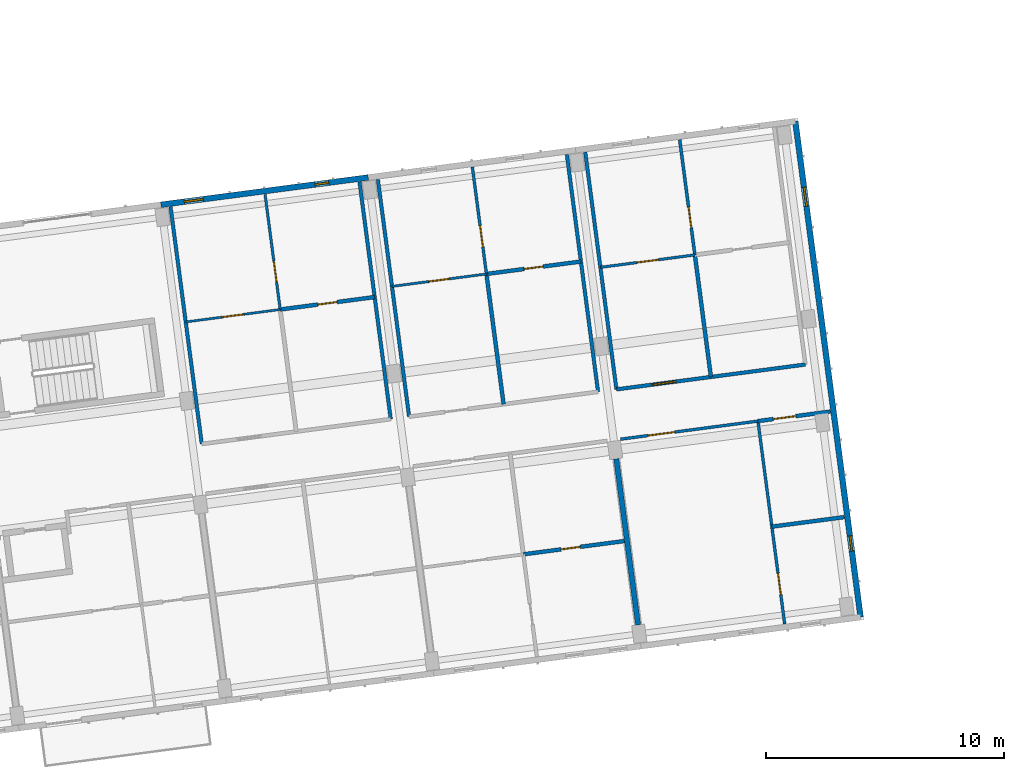
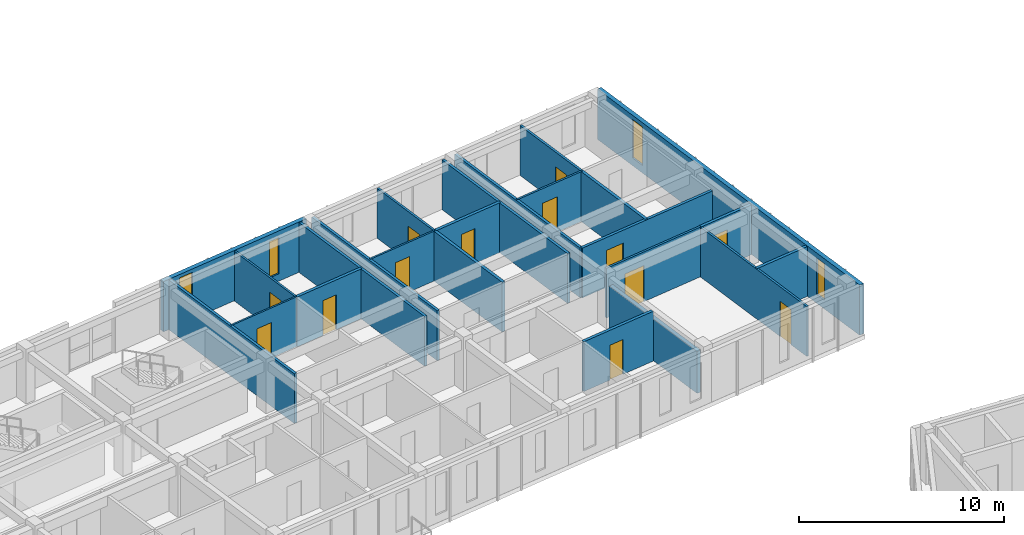
# One storey, part 23 of 65: 24 walls, 13 doors, 4 windows, 17 openings.
"""IFC4 building model written with IfcOpenShell, lengths in metres."""

import ifcopenshell
import ifcopenshell.guid

model = None  # the IFC model being written
_history = None  # IfcOwnerHistory: only IFC2X3 demands one
_inside = {}  # id of a spatial element -> (the spatial element, [elements in it])
_under = {}  # id of a project, library or spatial element -> (it, [spatial elements below it])
_declared = {}  # id of a project -> (the project, [libraries it declares])
_typed = {}  # id of a type object -> (the type object, [elements of that type])
_made_of = {}  # id of a material, layer set ... -> (it, [elements and type objects made of it])


def new_model(schema):
    """Start an empty IFC model of exactly this schema.

    Asked for "IFC4X3", IfcOpenShell would pick the latest addendum, in which some entities
    have other attributes; the version numbers below select the first issue.
    IFC2X3 requires an IfcOwnerHistory on every rooted entity: one is made here for all.
    """
    global model, _history
    if schema == "IFC4X3":
        model = ifcopenshell.file(schema_version=(4, 3, 0, 0))
    else:
        model = ifcopenshell.file(schema=schema)
    _inside.clear()
    _under.clear()
    _declared.clear()
    _typed.clear()
    _made_of.clear()
    _history = None
    if model.schema == "IFC2X3":
        org = make("IfcOrganization", Name="unknown")
        user = make(
            "IfcPersonAndOrganization",
            ThePerson=make("IfcPerson", FamilyName="unknown"),
            TheOrganization=org,
        )
        app = make(
            "IfcApplication",
            ApplicationDeveloper=org,
            Version="unknown",
            ApplicationFullName="unknown",
            ApplicationIdentifier="unknown",
        )
        _history = make(
            "IfcOwnerHistory",
            OwningUser=user,
            OwningApplication=app,
            ChangeAction="ADDED",
            CreationDate=0,
        )
    return model


def make(cls, **values):
    """One entity of the class cls with the attributes given. An attribute that is None is left unset."""
    return model.create_entity(
        cls, **{name: value for name, value in values.items() if value is not None}
    )


def rooted(cls, **values):
    """An entity with a GlobalId (a new one), such as an element, a storey or a relation."""
    return make(cls, GlobalId=ifcopenshell.guid.new(), OwnerHistory=_history, **values)


def si_unit(unit_type, name, prefix=None):
    """IfcSIUnit, for example si_unit("LENGTHUNIT", "METRE", prefix="MILLI")."""
    return make("IfcSIUnit", UnitType=unit_type, Prefix=prefix, Name=name)


def assignment(units):
    """IfcUnitAssignment: the units of a project."""
    return None if units is None else make("IfcUnitAssignment", Units=units)


def point(xyz):
    """IfcCartesianPoint."""
    return None if xyz is None else make("IfcCartesianPoint", Coordinates=xyz)


def direction(xyz):
    """IfcDirection."""
    return None if xyz is None else make("IfcDirection", DirectionRatios=xyz)


def frame(location, z_axis=None, x_axis=None):
    """IfcAxis2Placement3D, a coordinate frame: its origin and axes. An axis left out is left unset."""
    return make(
        "IfcAxis2Placement3D",
        Location=point(location),
        Axis=direction(z_axis),
        RefDirection=direction(x_axis),
    )


def frame_2d(location, x_axis=None):
    """IfcAxis2Placement2D, a coordinate frame in the plane: its origin and x axis."""
    return make(
        "IfcAxis2Placement2D", Location=point(location), RefDirection=direction(x_axis)
    )


def origin():
    """The frame at (0, 0, 0) with its axes left unset."""
    return frame((0.0, 0.0, 0.0))


def place(relative_to, where):
    """IfcLocalPlacement: puts the frame where relative to a parent placement (None: the world)."""
    return make(
        "IfcLocalPlacement", PlacementRelTo=relative_to, RelativePlacement=where
    )


def context(
    kind, dimensions, precision=None, world=None, true_north=None, identifier=None
):
    """IfcGeometricRepresentationContext, for example the 3D "Model" context."""
    return make(
        "IfcGeometricRepresentationContext",
        ContextIdentifier=identifier,
        ContextType=kind,
        CoordinateSpaceDimension=dimensions,
        Precision=precision,
        WorldCoordinateSystem=world,
        TrueNorth=true_north,
    )


def subcontext(parent, identifier, kind, view, scale=None):
    """IfcGeometricRepresentationSubContext, for example "Body" below "Model"."""
    return make(
        "IfcGeometricRepresentationSubContext",
        ContextIdentifier=identifier,
        ContextType=kind,
        ParentContext=parent,
        TargetScale=scale,
        TargetView=view,
    )


def project(units=None, contexts=None):
    """IfcProject with its units and contexts."""
    return rooted(
        "IfcProject",
        Name="project",
        RepresentationContexts=contexts,
        UnitsInContext=assignment(units),
    )


def spatial(cls, under=None, at=None, **own):
    """A site, building, storey or space (cls), placed at a placement, below another one or the project."""
    s = rooted(cls, ObjectPlacement=at, **own)
    if under is not None:
        _under.setdefault(under.id(), (under, []))[1].append(s)
    return s


def profile(cls, at=None, kind="AREA", **sizes):
    """A parametric profile (cls). Its sizes go by their IFC names, for example OverallWidth=200.0."""
    return make(cls, ProfileType=kind, Position=at, **sizes)


def rectangle(**sizes):
    """IfcRectangleProfileDef."""
    return profile("IfcRectangleProfileDef", **sizes)


def extrude(swept, where, along, depth):
    """IfcExtrudedAreaSolid: the profile swept, set in the frame where, extruded along a direction by depth."""
    return make(
        "IfcExtrudedAreaSolid",
        SweptArea=swept,
        Position=where,
        ExtrudedDirection=direction(along),
        Depth=depth,
    )


def shape(context_of_items, identifier, shape_type, items):
    """IfcShapeRepresentation: the items that make up one representation, for example the "Body"."""
    return make(
        "IfcShapeRepresentation",
        ContextOfItems=context_of_items,
        RepresentationIdentifier=identifier,
        RepresentationType=shape_type,
        Items=items,
    )


def material(Name=None, Category=None):
    """IfcMaterial."""
    return make("IfcMaterial", Name=Name, Category=Category)


def layer(
    of_material, thickness, ventilated=None, Name=None, Category=None, Priority=None
):
    """IfcMaterialLayer: one layer of a wall or slab, of a material (None: an air gap)."""
    return make(
        "IfcMaterialLayer",
        Material=of_material,
        LayerThickness=thickness,
        IsVentilated=ventilated,
        Name=Name,
        Category=Category,
        Priority=Priority,
    )


def layer_set(layers, Name=None):
    """IfcMaterialLayerSet."""
    return make("IfcMaterialLayerSet", MaterialLayers=layers, LayerSetName=Name)


def made_of(thing, what):
    """Note that an element or type object is made of a material, layer set ...; save() writes the relation."""
    if what is not None:
        _made_of.setdefault(what.id(), (what, []))[1].append(thing)
    return thing


def type_object(cls, material=None, **own):
    """A type object (cls), such as IfcWallType, which elements share."""
    return made_of(rooted(cls, **own), material)


def element(
    cls,
    number,
    at=None,
    inside=None,
    cuts=None,
    type_object=None,
    material=None,
    context=None,
    identifier="Body",
    shape_type=None,
    held_by="IfcProductDefinitionShape",
    body=None,
    shapes=None,
    **own,
):
    """One element of the class cls, such as IfcWall. Its Tag is "e" and its number.

    at: its placement. inside: the storey or other place that contains it. cuts: it is an
    opening in that element (IfcRelVoidsElement). A single representation is given by context,
    identifier, shape_type and body (its items); several are given by shapes. held_by: the class
    of the entity that holds the representations. save() writes the other relations.
    """
    e = rooted(cls, Tag="e%d" % number, ObjectPlacement=at, **own)
    if body is not None:
        shapes = [shape(context, identifier, shape_type, body)]
    if shapes is not None:
        e.Representation = make(held_by, Representations=shapes)
    if inside is not None:
        _inside.setdefault(inside.id(), (inside, []))[1].append(e)
    if cuts is not None:
        rooted(
            "IfcRelVoidsElement", RelatingBuildingElement=cuts, RelatedOpeningElement=e
        )
    if type_object is not None:
        _typed.setdefault(type_object.id(), (type_object, []))[1].append(e)
    return made_of(e, material)


def fill(opening, filler):
    """IfcRelFillsElement: the door or window that sits in an opening."""
    return rooted(
        "IfcRelFillsElement",
        RelatingOpeningElement=opening,
        RelatedBuildingElement=filler,
    )


def aggregate(whole, parts):
    """IfcRelAggregates: a whole, such as a stair, and the parts it consists of."""
    return rooted("IfcRelAggregates", RelatingObject=whole, RelatedObjects=parts)


def save(model, path):
    """Write the relations noted so far, then the file.

    IfcRelAggregates (storeys below a building ...), IfcRelContainedInSpatialStructure (elements
    in a storey), IfcRelDefinesByType, IfcRelAssociatesMaterial and IfcRelDeclares: one each for
    every whole, place, type object, material and project.
    """
    for whole, parts in _under.values():
        aggregate(whole, parts)
    for where, things in _inside.values():
        rooted(
            "IfcRelContainedInSpatialStructure",
            RelatedElements=things,
            RelatingStructure=where,
        )
    for kind, things in _typed.values():
        rooted("IfcRelDefinesByType", RelatedObjects=things, RelatingType=kind)
    for what, things in _made_of.values():
        rooted("IfcRelAssociatesMaterial", RelatedObjects=things, RelatingMaterial=what)
    for by, libraries in _declared.values():
        rooted("IfcRelDeclares", RelatingContext=by, RelatedDefinitions=libraries)
    model.write(path)


model = new_model("IFC4")

# Units and contexts
model_context = context("Model", 3, precision=1e-05, world=origin(), true_north=direction((0.0, 1.0)))
body_context = subcontext(model_context, "Body", "Model", "MODEL_VIEW")
ifc_project = project(units=[si_unit("LENGTHUNIT", "METRE"), si_unit("AREAUNIT", "SQUARE_METRE"), si_unit("VOLUMEUNIT", "CUBIC_METRE"), si_unit("PLANEANGLEUNIT", "RADIAN"), si_unit("MASSUNIT", "GRAM", prefix="KILO")], contexts=[model_context])

# Site, building, storey
site_placement = place(None, origin())
site = spatial("IfcSite", under=ifc_project, at=site_placement, CompositionType="ELEMENT")
building_placement = place(site_placement, origin())
building = spatial("IfcBuilding", under=site, at=building_placement, Name="Kestramere Prow Commons", CompositionType="ELEMENT")
storey_placement = place(building_placement, frame((0.0, 0.0, 21.39990234375)))
storey = spatial("IfcBuildingStorey", under=building, at=storey_placement, Name="L06", CompositionType="ELEMENT", Elevation=21.39990234375)

# Wall, openings, windows
ifc_material_1 = material(Name="Fluoropolymer Standing-Seam Zinc-Aluminium Cladding", Category="aluminium")
ifc_layer_1 = layer(ifc_material_1, 0.239990234375)
ifc_layer_set_1 = layer_set([ifc_layer_1], Name="Fluoropolymer Standing-Seam Zinc-Aluminium Cladding")
wall_type_1 = type_object("IfcWallType", Name="EW-SEAM-240", PredefinedType="SOLIDWALL", material=ifc_layer_set_1)
wall_1_placement = place(storey_placement, frame((34.695068359375, 95.79541015625, 0.0), z_axis=(0.0, 0.0, 1.0), x_axis=(0.991447967712, 0.130502595073, 0.0)))
wall_1 = element("IfcWall", 1, at=wall_1_placement, inside=storey, type_object=wall_type_1, Name="Block A L06 North Standing-Seam Wall 4", PredefinedType="SOLIDWALL", context=body_context, shape_type="SweptSolid", body=[
    extrude(rectangle(XDim=8.800048828125, YDim=0.239990234375, at=frame_2d((4.39990234375, 0.0))), origin(), (0.0, 0.0, 1.0), 3.0),
])
opening_1_placement = place(wall_1_placement, frame((0.98876953125, 0.0, 0.5)))
opening_1 = element("IfcOpeningElement", 2, at=opening_1_placement, cuts=wall_1, Name="Opening WN-12", PredefinedType="OPENING", context=body_context, shape_type="SweptSolid", body=[
    extrude(rectangle(XDim=0.800048828125, YDim=2.300048828125, at=frame_2d((0.39990234375, 1.14990234375))), frame((0.0, 0.135009765625, 0.0), z_axis=(0.0, -1.0, 0.0), x_axis=(1.0, 0.0, 0.0)), (0.0, 0.0, 1.0), 0.27001953125),
])
opening_2_placement = place(wall_1_placement, frame((6.5380859375, 0.0, 0.43994140625)))
opening_2 = element("IfcOpeningElement", 3, at=opening_2_placement, cuts=wall_1, Name="Opening WN-01", PredefinedType="OPENING", context=body_context, shape_type="SweptSolid", body=[
    extrude(rectangle(XDim=0.580078125, YDim=2.159912109375, at=frame_2d((0.2900390625, 1.080078125))), frame((0.0, 0.135009765625, 0.0), z_axis=(0.0, -1.0, 0.0), x_axis=(1.0, 0.0, 0.0)), (0.0, 0.0, 1.0), 0.27001953125),
])
ifc_material_2 = material(Name="Low-E Laminated Double Glazing", Category="glass")
window_type_1 = type_object("IfcWindowType", Name="WN-NAR-580A", PartitioningType="SINGLE_PANEL", PredefinedType="WINDOW", material=ifc_material_2)
window_1_placement = place(opening_2_placement, origin())
window_1 = element("IfcWindow", 4, at=window_1_placement, inside=storey, type_object=window_type_1, Name="WN-A-L06-N-3-1", OverallHeight=2.159912109375, OverallWidth=0.580078125, PartitioningType="SINGLE_PANEL", PredefinedType="WINDOW", context=body_context, shape_type="SweptSolid", body=[
    extrude(rectangle(XDim=0.580078125, YDim=2.159912109375, at=frame_2d((0.2900390625, 1.080078125))), frame((0.0, 0.030029296875, 0.0), z_axis=(0.0, -1.0, 0.0), x_axis=(1.0, 0.0, 0.0)), (0.0, 0.0, 1.0), 0.06005859375),
])
fill(opening_2, window_1)
window_type_2 = type_object("IfcWindowType", Name="WN-NAR-800A", PartitioningType="SINGLE_PANEL", PredefinedType="WINDOW", material=ifc_material_2)
window_2_placement = place(opening_1_placement, origin())
window_2 = element("IfcWindow", 5, at=window_2_placement, inside=storey, type_object=window_type_2, Name="WN-A-L06-N-3-0", OverallHeight=2.300048828125, OverallWidth=0.800048828125, PartitioningType="SINGLE_PANEL", PredefinedType="WINDOW", context=body_context, shape_type="SweptSolid", body=[
    extrude(rectangle(XDim=0.800048828125, YDim=2.300048828125, at=frame_2d((0.39990234375, 1.14990234375))), frame((0.0, 0.030029296875, 0.0), z_axis=(0.0, -1.0, 0.0), x_axis=(1.0, 0.0, 0.0)), (0.0, 0.0, 1.0), 0.06005859375),
])
fill(opening_1, window_2)

wall_2_placement = place(storey_placement, frame((61.3896484375, 99.309814453125, 0.0), z_axis=(0.0, 0.0, 1.0), x_axis=(0.13052411616, -0.99144513469, 0.0)))
wall_2 = element("IfcWall", 6, at=wall_2_placement, inside=storey, type_object=wall_type_1, Name="Block A L06 EAV Facet Wall", PredefinedType="SOLIDWALL", context=body_context, shape_type="SweptSolid", body=[
    extrude(rectangle(XDim=21.05029296875, YDim=0.239990234375, at=frame_2d((10.525146484375, 0.0))), origin(), (0.0, 0.0, 1.0), 3.0),
])
opening_3_placement = place(wall_2_placement, frame((2.81005859375, 0.0, 0.449951171875)))
opening_3 = element("IfcOpeningElement", 7, at=opening_3_placement, cuts=wall_2, Name="Opening WN-12", PredefinedType="OPENING", context=body_context, shape_type="SweptSolid", body=[
    extrude(rectangle(XDim=0.800048828125, YDim=2.300048828125, at=frame_2d((0.39990234375, 1.14990234375))), frame((0.0, 0.135009765625, 0.0), z_axis=(0.0, -1.0, 0.0), x_axis=(1.0, 0.0, 0.0)), (0.0, 0.0, 1.0), 0.27001953125),
])
opening_4_placement = place(wall_2_placement, frame((17.60009765625, 0.0, 0.52001953125)))
opening_4 = element("IfcOpeningElement", 8, at=opening_4_placement, cuts=wall_2, Name="Opening WN-04", PredefinedType="OPENING", context=body_context, shape_type="SweptSolid", body=[
    extrude(rectangle(XDim=0.639892578125, YDim=2.179931640625, at=frame_2d((0.31982421875, 1.08984375))), frame((0.0, 0.135009765625, 0.0), z_axis=(0.0, -1.0, 0.0), x_axis=(1.0, 0.0, 0.0)), (0.0, 0.0, 1.0), 0.27001953125),
])
window_type_3 = type_object("IfcWindowType", Name="WN-NAR-640A", PartitioningType="SINGLE_PANEL", PredefinedType="WINDOW", material=ifc_material_2)
window_3_placement = place(opening_4_placement, origin())
window_3 = element("IfcWindow", 9, at=window_3_placement, inside=storey, type_object=window_type_3, Name="WN-A-L06-EAV-1", OverallHeight=2.179931640625, OverallWidth=0.639892578125, PartitioningType="SINGLE_PANEL", PredefinedType="WINDOW", context=body_context, shape_type="SweptSolid", body=[
    extrude(rectangle(XDim=0.639892578125, YDim=2.179931640625, at=frame_2d((0.31982421875, 1.08984375))), frame((0.0, 0.030029296875, 0.0), z_axis=(0.0, -1.0, 0.0), x_axis=(1.0, 0.0, 0.0)), (0.0, 0.0, 1.0), 0.06005859375),
])
fill(opening_4, window_3)
window_4_placement = place(opening_3_placement, origin())
window_4 = element("IfcWindow", 10, at=window_4_placement, inside=storey, type_object=window_type_2, Name="WN-A-L06-EAV-0", OverallHeight=2.300048828125, OverallWidth=0.800048828125, PartitioningType="SINGLE_PANEL", PredefinedType="WINDOW", context=body_context, shape_type="SweptSolid", body=[
    extrude(rectangle(XDim=0.800048828125, YDim=2.300048828125, at=frame_2d((0.39990234375, 1.14990234375))), frame((0.0, 0.030029296875, 0.0), z_axis=(0.0, -1.0, 0.0), x_axis=(1.0, 0.0, 0.0)), (0.0, 0.0, 1.0), 0.06005859375),
])
fill(opening_3, window_4)

# Wall, opening, door
ifc_material_3 = material(Name="Fire-Rated Calcium Silicate Wall")
ifc_layer_2 = layer(ifc_material_3, 0.155029296875)
ifc_layer_set_2 = layer_set([ifc_layer_2], Name="Fire-Rated Calcium Silicate Wall")
wall_type_2 = type_object("IfcWallType", Name="W-FIRE-150", PredefinedType="PARTITIONING", material=ifc_layer_set_2)
wall_3_placement = place(storey_placement, frame((53.86328125, 88.02587890625, 0.0), z_axis=(0.0, 0.0, 1.0), x_axis=(0.991447973994, 0.130502547346, 0.0)))
wall_3 = element("IfcWall", 11, at=wall_3_placement, inside=storey, type_object=wall_type_2, Name="Interior Partition PW-A-L06-CN-5", PredefinedType="PARTITIONING", context=body_context, shape_type="SweptSolid", body=[
    extrude(rectangle(XDim=8.02001953125, YDim=0.155029296875, at=frame_2d((4.010009765625, 0.0))), origin(), (0.0, 0.0, 1.0), 2.97021484375),
])
opening_5_placement = place(wall_3_placement, frame((1.5048828125, 0.0, 0.0)))
opening_5 = element("IfcOpeningElement", 12, at=opening_5_placement, cuts=wall_3, Name="Opening ID-05", PredefinedType="OPENING", context=body_context, shape_type="SweptSolid", body=[
    extrude(rectangle(XDim=1.02001953125, YDim=2.199951171875, at=frame_2d((0.510009765625, 1.10009765625))), frame((0.0, 0.092529296875, 0.0), z_axis=(0.0, -1.0, 0.0), x_axis=(1.0, 0.0, 0.0)), (0.0, 0.0, 1.0), 0.18505859375),
])
ifc_material_4 = material(Name="Hardwood Fire-Rated Flat Entrance Door", Category="wood")
door_type_1 = type_object("IfcDoorType", Name="FD-ENT-02", OperationType="NOTDEFINED", PredefinedType="DOOR", material=ifc_material_4)
door_1_placement = place(opening_5_placement, origin())
door_1 = element("IfcDoor", 13, at=door_1_placement, inside=storey, type_object=door_type_1, Name="Interior Door DR-A-L06-ENT-N5", OperationType="SINGLE_SWING_RIGHT", OverallHeight=2.199951171875, OverallWidth=1.02001953125, PredefinedType="DOOR", context=body_context, shape_type="SweptSolid", body=[
    extrude(rectangle(XDim=1.02001953125, YDim=2.199951171875, at=frame_2d((0.510009765625, 1.10009765625))), frame((0.0, 0.02490234375, 0.0), z_axis=(0.0, -1.0, 0.0), x_axis=(1.0, 0.0, 0.0)), (0.0, 0.0, 1.0), 0.050048828125),
])
fill(opening_5, door_1)

ifc_material_5 = material(Name="Gypsum Acoustic Drywall")
ifc_layer_3 = layer(ifc_material_5, 0.10009765625)
ifc_layer_set_3 = layer_set([ifc_layer_3], Name="Gypsum Acoustic Drywall")
wall_type_3 = type_object("IfcWallType", Name="W-PART-100", PredefinedType="PARTITIONING", material=ifc_layer_set_3)
wall_4_placement = place(storey_placement, frame((44.416748046875, 92.35986328125, 0.0), z_axis=(0.0, 0.0, 1.0), x_axis=(0.991443516139, 0.130536409887, 0.0)))
wall_4 = element("IfcWall", 14, at=wall_4_placement, inside=storey, type_object=wall_type_3, Name="Interior Partition PW-A-L06-MIDN1-4", PredefinedType="PARTITIONING", context=body_context, shape_type="SweptSolid", body=[
    extrude(rectangle(XDim=4.010009765625, YDim=0.10009765625, at=frame_2d((2.0048828125, 0.0))), origin(), (0.0, 0.0, 1.0), 2.97021484375),
])
opening_6_placement = place(wall_4_placement, frame((1.554931640625, 0.0, 0.0)))
opening_6 = element("IfcOpeningElement", 15, at=opening_6_placement, cuts=wall_4, Name="Opening ID-10", PredefinedType="OPENING", context=body_context, shape_type="SweptSolid", body=[
    extrude(rectangle(XDim=0.8798828125, YDim=2.10009765625, at=frame_2d((0.43994140625, 1.050048828125))), frame((0.0, 0.06494140625, 0.0), z_axis=(0.0, -1.0, 0.0), x_axis=(1.0, 0.0, 0.0)), (0.0, 0.0, 1.0), 0.130126953125),
])
ifc_material_6 = material(Name="Engineered Timber Bedroom Door", Category="wood")
door_type_2 = type_object("IfcDoorType", Name="D-RM-03", OperationType="NOTDEFINED", PredefinedType="DOOR", material=ifc_material_6)
door_2_placement = place(opening_6_placement, origin())
door_2 = element("IfcDoor", 16, at=door_2_placement, inside=storey, type_object=door_type_2, Name="Interior Door DR-A-L06-KL-N4", OperationType="SINGLE_SWING_LEFT", OverallHeight=2.10009765625, OverallWidth=0.8798828125, PredefinedType="DOOR", context=body_context, shape_type="SweptSolid", body=[
    extrude(rectangle(XDim=0.8798828125, YDim=2.10009765625, at=frame_2d((0.43994140625, 1.050048828125))), frame((0.0, 0.02490234375, 0.0), z_axis=(0.0, -1.0, 0.0), x_axis=(1.0, 0.0, 0.0)), (0.0, 0.0, 1.0), 0.050048828125),
])
fill(opening_6, door_2)

ifc_layer_4 = layer(ifc_material_5, 0.110107421875)
ifc_layer_set_4 = layer_set([ifc_layer_4], Name="Gypsum Acoustic Drywall")
wall_type_4 = type_object("IfcWallType", Name="W-PART-110", PredefinedType="PARTITIONING", material=ifc_layer_set_4)
wall_5_placement = place(storey_placement, frame((39.71337890625, 91.3876953125, 0.0), z_axis=(0.0, 0.0, 1.0), x_axis=(-0.130557831536, 0.991440695465, 0.0)))
wall_5 = element("IfcWall", 17, at=wall_5_placement, inside=storey, type_object=wall_type_4, Name="Interior Partition PW-A-L06-LB-N3", PredefinedType="PARTITIONING", context=body_context, shape_type="SweptSolid", body=[
    extrude(rectangle(XDim=4.889892578125, YDim=0.110107421875, at=frame_2d((2.44482421875, 0.0))), origin(), (0.0, 0.0, 1.0), 2.97021484375),
])
opening_7_placement = place(wall_5_placement, frame((1.14990234375, 0.0, 0.0)))
opening_7 = element("IfcOpeningElement", 18, at=opening_7_placement, cuts=wall_5, Name="Opening ID-08", PredefinedType="OPENING", context=body_context, shape_type="SweptSolid", body=[
    extrude(rectangle(XDim=0.89990234375, YDim=2.10009765625, at=frame_2d((0.449951171875, 1.050048828125))), frame((0.0, 0.070068359375, 0.0), z_axis=(0.0, -1.0, 0.0), x_axis=(1.0, 0.0, 0.0)), (0.0, 0.0, 1.0), 0.14013671875),
])
ifc_material_7 = material(Name="Engineered Timber Flush Door", Category="wood")
door_type_3 = type_object("IfcDoorType", Name="D-RM-01", OperationType="NOTDEFINED", PredefinedType="DOOR", material=ifc_material_7)
door_3_placement = place(opening_7_placement, origin())
door_3 = element("IfcDoor", 19, at=door_3_placement, inside=storey, type_object=door_type_3, Name="Interior Door DR-A-L06-BED-N3", OperationType="SINGLE_SWING_LEFT", OverallHeight=2.10009765625, OverallWidth=0.89990234375, PredefinedType="DOOR", context=body_context, shape_type="SweptSolid", body=[
    extrude(rectangle(XDim=0.89990234375, YDim=2.10009765625, at=frame_2d((0.449951171875, 1.050048828125))), frame((0.0, 0.02490234375, 0.0), z_axis=(0.0, -1.0, 0.0), x_axis=(1.0, 0.0, 0.0)), (0.0, 0.0, 1.0), 0.050048828125),
])
fill(opening_7, door_3)

wall_6_placement = place(storey_placement, frame((53.18701171875, 93.161376953125, 0.0), z_axis=(0.0, 0.0, 1.0), x_axis=(0.991444553502, 0.130528530716, 0.0)))
wall_6 = element("IfcWall", 20, at=wall_6_placement, inside=storey, type_object=wall_type_4, Name="Interior Partition PW-A-L06-MIDN1-5", PredefinedType="PARTITIONING", context=body_context, shape_type="SweptSolid", body=[
    extrude(rectangle(XDim=4.01025390625, YDim=0.110107421875, at=frame_2d((2.005126953125, 0.0))), origin(), (0.0, 0.0, 1.0), 2.97021484375),
])
opening_8_placement = place(wall_6_placement, frame((1.554931640625, 0.0, 0.0)))
opening_8 = element("IfcOpeningElement", 21, at=opening_8_placement, cuts=wall_6, Name="Opening ID-08", PredefinedType="OPENING", context=body_context, shape_type="SweptSolid", body=[
    extrude(rectangle(XDim=0.89990234375, YDim=2.10009765625, at=frame_2d((0.449951171875, 1.050048828125))), frame((0.0, 0.070068359375, 0.0), z_axis=(0.0, -1.0, 0.0), x_axis=(1.0, 0.0, 0.0)), (0.0, 0.0, 1.0), 0.14013671875),
])
door_4_placement = place(opening_8_placement, origin())
door_4 = element("IfcDoor", 22, at=door_4_placement, inside=storey, type_object=door_type_3, Name="Interior Door DR-A-L06-KL-N5", OperationType="SINGLE_SWING_LEFT", OverallHeight=2.10009765625, OverallWidth=0.89990234375, PredefinedType="DOOR", context=body_context, shape_type="SweptSolid", body=[
    extrude(rectangle(XDim=0.89990234375, YDim=2.10009765625, at=frame_2d((0.449951171875, 1.050048828125))), frame((0.0, 0.02490234375, 0.0), z_axis=(0.0, -1.0, 0.0), x_axis=(1.0, 0.0, 0.0)), (0.0, 0.0, 1.0), 0.050048828125),
])
fill(opening_8, door_4)

ifc_material_8 = material(Name="Lightweight Blockwork and Plaster", Category="masonry")
ifc_layer_5 = layer(ifc_material_8, 0.1201171875)
ifc_layer_set_5 = layer_set([ifc_layer_5], Name="Lightweight Blockwork and Plaster")
wall_type_5 = type_object("IfcWallType", Name="W-PART-120", PredefinedType="PARTITIONING", material=ifc_layer_set_5)
wall_7_placement = place(storey_placement, frame((54.033203125, 85.929931640625, 0.0), z_axis=(0.0, 0.0, 1.0), x_axis=(0.991442898952, 0.130541097431, 0.0)))
wall_7 = element("IfcWall", 23, at=wall_7_placement, inside=storey, type_object=wall_type_5, Name="Interior Partition PW-A-L06-CS-5A", PredefinedType="PARTITIONING", context=body_context, shape_type="SweptSolid", body=[
    extrude(rectangle(XDim=5.835205078125, YDim=0.1201171875, at=frame_2d((2.91748046875, 0.0))), origin(), (0.0, 0.0, 1.0), 2.97021484375),
])
opening_9_placement = place(wall_7_placement, frame((1.14990234375, 0.0, 0.0)))
opening_9 = element("IfcOpeningElement", 24, at=opening_9_placement, cuts=wall_7, Name="Opening ID-09", PredefinedType="OPENING", context=body_context, shape_type="SweptSolid", body=[
    extrude(rectangle(XDim=1.14990234375, YDim=2.14990234375, at=frame_2d((0.574951171875, 1.074951171875))), frame((0.0, 0.074951171875, 0.0), z_axis=(0.0, -1.0, 0.0), x_axis=(1.0, 0.0, 0.0)), (0.0, 0.0, 1.0), 0.150146484375),
])
ifc_material_9 = material(Name="Engineered Timber Acoustic Door", Category="wood")
door_type_4 = type_object("IfcDoorType", Name="D-RM-02", OperationType="NOTDEFINED", PredefinedType="DOOR", material=ifc_material_9)
door_5_placement = place(opening_9_placement, origin())
door_5 = element("IfcDoor", 25, at=door_5_placement, inside=storey, type_object=door_type_4, Name="Interior Door DR-A-L06-SKY-5", OperationType="SINGLE_SWING_LEFT", OverallHeight=2.14990234375, OverallWidth=1.14990234375, PredefinedType="DOOR", context=body_context, shape_type="SweptSolid", body=[
    extrude(rectangle(XDim=1.14990234375, YDim=2.14990234375, at=frame_2d((0.574951171875, 1.074951171875))), frame((0.0, 0.02490234375, 0.0), z_axis=(0.0, -1.0, 0.0), x_axis=(1.0, 0.0, 0.0)), (0.0, 0.0, 1.0), 0.050048828125),
])
fill(opening_9, door_5)

wall_8_placement = place(storey_placement, frame((60.942138671875, 78.1552734375, 0.0), z_axis=(0.0, 0.0, 1.0), x_axis=(-0.13051979335, 0.99144570378, 0.0)))
wall_8 = element("IfcWall", 26, at=wall_8_placement, inside=storey, type_object=wall_type_5, Name="Interior Partition PW-A-L06-SKDV-5", PredefinedType="PARTITIONING", context=body_context, shape_type="SweptSolid", body=[
    extrude(rectangle(XDim=8.610107421875, YDim=0.1201171875, at=frame_2d((4.30517578125, 0.0))), origin(), (0.0, 0.0, 1.0), 2.97021484375),
])
opening_10_placement = place(wall_8_placement, frame((1.25, 0.0, 0.0)))
opening_10 = element("IfcOpeningElement", 27, at=opening_10_placement, cuts=wall_8, Name="Opening ID-08", PredefinedType="OPENING", context=body_context, shape_type="SweptSolid", body=[
    extrude(rectangle(XDim=0.89990234375, YDim=2.10009765625, at=frame_2d((0.449951171875, 1.050048828125))), frame((0.0, 0.074951171875, 0.0), z_axis=(0.0, -1.0, 0.0), x_axis=(1.0, 0.0, 0.0)), (0.0, 0.0, 1.0), 0.150146484375),
])
door_6_placement = place(opening_10_placement, origin())
door_6 = element("IfcDoor", 28, at=door_6_placement, inside=storey, type_object=door_type_3, Name="Interior Door DR-A-L06-SKAL-5", OperationType="SINGLE_SWING_LEFT", OverallHeight=2.10009765625, OverallWidth=0.89990234375, PredefinedType="DOOR", context=body_context, shape_type="SweptSolid", body=[
    extrude(rectangle(XDim=0.89990234375, YDim=2.10009765625, at=frame_2d((0.449951171875, 1.050048828125))), frame((0.0, 0.02490234375, 0.0), z_axis=(0.0, -1.0, 0.0), x_axis=(1.0, 0.0, 0.0)), (0.0, 0.0, 1.0), 0.050048828125),
])
fill(opening_10, door_6)

wall_9_placement = place(storey_placement, frame((48.392333984375, 92.88330078125, 0.0), z_axis=(0.0, 0.0, 1.0), x_axis=(-0.130518503748, 0.99144587355, 0.0)))
wall_9 = element("IfcWall", 29, at=wall_9_placement, inside=storey, type_object=wall_type_5, Name="Interior Partition PW-A-L06-LB-N4", PredefinedType="PARTITIONING", context=body_context, shape_type="SweptSolid", body=[
    extrude(rectangle(XDim=4.539794921875, YDim=0.1201171875, at=frame_2d((2.27001953125, 0.0))), origin(), (0.0, 0.0, 1.0), 2.97021484375),
])
opening_11_placement = place(wall_9_placement, frame((1.14990234375, 0.0, 0.0)))
opening_11 = element("IfcOpeningElement", 30, at=opening_11_placement, cuts=wall_9, Name="Opening ID-08", PredefinedType="OPENING", context=body_context, shape_type="SweptSolid", body=[
    extrude(rectangle(XDim=0.89990234375, YDim=2.10009765625, at=frame_2d((0.449951171875, 1.050048828125))), frame((0.0, 0.074951171875, 0.0), z_axis=(0.0, -1.0, 0.0), x_axis=(1.0, 0.0, 0.0)), (0.0, 0.0, 1.0), 0.150146484375),
])
door_7_placement = place(opening_11_placement, origin())
door_7 = element("IfcDoor", 31, at=door_7_placement, inside=storey, type_object=door_type_3, Name="Interior Door DR-A-L06-BED-N4", OperationType="SINGLE_SWING_LEFT", OverallHeight=2.10009765625, OverallWidth=0.89990234375, PredefinedType="DOOR", context=body_context, shape_type="SweptSolid", body=[
    extrude(rectangle(XDim=0.89990234375, YDim=2.10009765625, at=frame_2d((0.449951171875, 1.050048828125))), frame((0.0, 0.02490234375, 0.0), z_axis=(0.0, -1.0, 0.0), x_axis=(1.0, 0.0, 0.0)), (0.0, 0.0, 1.0), 0.050048828125),
])
fill(opening_11, door_7)

ifc_layer_6 = layer(ifc_material_8, 0.1298828125)
ifc_layer_set_6 = layer_set([ifc_layer_6], Name="Lightweight Blockwork and Plaster")
wall_type_6 = type_object("IfcWallType", Name="W-PART-130", PredefinedType="PARTITIONING", material=ifc_layer_set_6)
wall_10_placement = place(storey_placement, frame((57.162841796875, 93.684814453125, 0.0), z_axis=(0.0, 0.0, 1.0), x_axis=(-0.130557831536, 0.991440695465, 0.0)))
wall_10 = element("IfcWall", 32, at=wall_10_placement, inside=storey, type_object=wall_type_6, Name="Interior Partition PW-A-L06-LB-N5", PredefinedType="PARTITIONING", context=body_context, shape_type="SweptSolid", body=[
    extrude(rectangle(XDim=4.889892578125, YDim=0.1298828125, at=frame_2d((2.44482421875, 0.0))), origin(), (0.0, 0.0, 1.0), 2.97021484375),
])
opening_12_placement = place(wall_10_placement, frame((1.14990234375, 0.0, 0.0)))
opening_12 = element("IfcOpeningElement", 33, at=opening_12_placement, cuts=wall_10, Name="Opening ID-10", PredefinedType="OPENING", context=body_context, shape_type="SweptSolid", body=[
    extrude(rectangle(XDim=0.8798828125, YDim=2.10009765625, at=frame_2d((0.43994140625, 1.050048828125))), frame((0.0, 0.079833984375, 0.0), z_axis=(0.0, -1.0, 0.0), x_axis=(1.0, 0.0, 0.0)), (0.0, 0.0, 1.0), 0.159912109375),
])
door_8_placement = place(opening_12_placement, origin())
door_8 = element("IfcDoor", 34, at=door_8_placement, inside=storey, type_object=door_type_2, Name="Interior Door DR-A-L06-BED-N5", OperationType="SINGLE_SWING_LEFT", OverallHeight=2.10009765625, OverallWidth=0.8798828125, PredefinedType="DOOR", context=body_context, shape_type="SweptSolid", body=[
    extrude(rectangle(XDim=0.8798828125, YDim=2.10009765625, at=frame_2d((0.43994140625, 1.050048828125))), frame((0.0, 0.02490234375, 0.0), z_axis=(0.0, -1.0, 0.0), x_axis=(1.0, 0.0, 0.0)), (0.0, 0.0, 1.0), 0.050048828125),
])
fill(opening_12, door_8)

# Walls
ifc_material_10 = material(Name="Masonry Compartment Wall", Category="masonry")
ifc_layer_7 = layer(ifc_material_10, 0.14990234375)
ifc_layer_set_7 = layer_set([ifc_layer_7], Name="Masonry Compartment Wall")
wall_type_7 = type_object("IfcWallType", Name="W-PART-150", PredefinedType="PARTITIONING", material=ifc_layer_set_7)
for number, where, z_axis, x_axis, name in (
    (35, (36.413818359375, 85.728515625, 0.0), (0.0, 0.0, 1.0), (-0.130531024319, 0.991444225204, 0.0), "Interior Partition PW-A-L06-NWL-3"),
    (36, (44.365234375, 86.775390625, 0.0), (0.0, 0.0, 1.0), (-0.130531024319, 0.991444225204, 0.0), "Interior Partition PW-A-L06-NWR-3"),
    (37, (45.138427734375, 86.877197265625, 0.0), (0.0, 0.0, 1.0), (-0.130531024319, 0.991444225204, 0.0), "Interior Partition PW-A-L06-NWL-4"),
):
    element("IfcWall", number, at=place(storey_placement, frame(where, z_axis=z_axis, x_axis=x_axis)), inside=storey, type_object=wall_type_7, Name=name, PredefinedType="PARTITIONING", context=body_context, shape_type="SweptSolid", body=[
        extrude(rectangle(XDim=10.070068359375, YDim=0.14990234375, at=frame_2d((5.03515625, 0.0))), origin(), (0.0, 0.0, 1.0), 2.97021484375),
    ])
for number, where, z_axis, x_axis, name in (
    (38, (53.08984375, 87.924072265625, 0.0), (0.0, 0.0, 1.0), (-0.130534161944, 0.991443812107, 0.0), "Interior Partition PW-A-L06-NWR-4"),
    (39, (53.86328125, 88.02587890625, 0.0), (0.0, 0.0, 1.0), (-0.130534161944, 0.991443812107, 0.0), "Interior Partition PW-A-L06-NWL-5"),
):
    element("IfcWall", number, at=place(storey_placement, frame(where, z_axis=z_axis, x_axis=x_axis)), inside=storey, type_object=wall_type_7, Name=name, PredefinedType="PARTITIONING", context=body_context, shape_type="SweptSolid", body=[
        extrude(rectangle(XDim=10.06982421875, YDim=0.14990234375, at=frame_2d((5.034912109375, 0.0))), origin(), (0.0, 0.0, 1.0), 2.97021484375),
    ])

# Wall, opening, door
ifc_layer_8 = layer(ifc_material_5, 0.094970703125)
ifc_layer_set_8 = layer_set([ifc_layer_8], Name="Gypsum Acoustic Drywall")
wall_type_8 = type_object("IfcWallType", Name="W-PART-95", PredefinedType="PARTITIONING", material=ifc_layer_set_8)
wall_11_placement = place(storey_placement, frame((35.737548828125, 90.8642578125, 0.0), z_axis=(0.0, 0.0, 1.0), x_axis=(0.991444553502, 0.130528530716, 0.0)))
wall_11 = element("IfcWall", 40, at=wall_11_placement, inside=storey, type_object=wall_type_8, Name="Interior Partition PW-A-L06-MIDN1-3", PredefinedType="PARTITIONING", context=body_context, shape_type="SweptSolid", body=[
    extrude(rectangle(XDim=4.01025390625, YDim=0.094970703125, at=frame_2d((2.005126953125, 0.0))), origin(), (0.0, 0.0, 1.0), 2.97021484375),
])
opening_13_placement = place(wall_11_placement, frame((1.554931640625, 0.0, 0.0)))
opening_13 = element("IfcOpeningElement", 41, at=opening_13_placement, cuts=wall_11, Name="Opening ID-08", PredefinedType="OPENING", context=body_context, shape_type="SweptSolid", body=[
    extrude(rectangle(XDim=0.89990234375, YDim=2.10009765625, at=frame_2d((0.449951171875, 1.050048828125))), frame((0.0, 0.0625, 0.0), z_axis=(0.0, -1.0, 0.0), x_axis=(1.0, 0.0, 0.0)), (0.0, 0.0, 1.0), 0.125),
])
door_9_placement = place(opening_13_placement, origin())
door_9 = element("IfcDoor", 42, at=door_9_placement, inside=storey, type_object=door_type_3, Name="Interior Door DR-A-L06-KL-N3", OperationType="SINGLE_SWING_LEFT", OverallHeight=2.10009765625, OverallWidth=0.89990234375, PredefinedType="DOOR", context=body_context, shape_type="SweptSolid", body=[
    extrude(rectangle(XDim=0.89990234375, YDim=2.10009765625, at=frame_2d((0.449951171875, 1.050048828125))), frame((0.0, 0.02490234375, 0.0), z_axis=(0.0, -1.0, 0.0), x_axis=(1.0, 0.0, 0.0)), (0.0, 0.0, 1.0), 0.050048828125),
])
fill(opening_13, door_9)

ifc_material_11 = material(Name="Waterproof Sanitary Masonry Wall", Category="masonry")
ifc_layer_9 = layer(ifc_material_11, 0.1650390625)
ifc_layer_set_9 = layer_set([ifc_layer_9], Name="Waterproof Sanitary Masonry Wall")
wall_type_9 = type_object("IfcWallType", Name="W-PLUMB-150", PredefinedType="PLUMBINGWALL", material=ifc_layer_set_9)
wall_12_placement = place(storey_placement, frame((49.945556640625, 81.0849609375, 0.0), z_axis=(0.0, 0.0, 1.0), x_axis=(0.991444984965, 0.130525253451, 0.0)))
wall_12 = element("IfcWall", 43, at=wall_12_placement, inside=storey, type_object=wall_type_9, Name="Interior Partition PW-A-L06-MIDS2-4", PredefinedType="PLUMBINGWALL", context=body_context, shape_type="SweptSolid", body=[
    extrude(rectangle(XDim=4.28515625, YDim=0.1650390625, at=frame_2d((2.142578125, 0.0))), origin(), (0.0, 0.0, 1.0), 2.97021484375),
])
opening_14_placement = place(wall_12_placement, frame((1.60009765625, 0.0, 0.0)))
opening_14 = element("IfcOpeningElement", 44, at=opening_14_placement, cuts=wall_12, Name="Opening ID-11", PredefinedType="OPENING", context=body_context, shape_type="SweptSolid", body=[
    extrude(rectangle(XDim=0.820068359375, YDim=2.080078125, at=frame_2d((0.41015625, 1.0400390625))), frame((0.0, 0.097412109375, 0.0), z_axis=(0.0, -1.0, 0.0), x_axis=(1.0, 0.0, 0.0)), (0.0, 0.0, 1.0), 0.195068359375),
])
ifc_material_12 = material(Name="Moisture-Resistant Timber Bathroom Door", Category="wood")
door_type_5 = type_object("IfcDoorType", Name="D-BT-01", OperationType="NOTDEFINED", PredefinedType="DOOR", material=ifc_material_12)
door_10_placement = place(opening_14_placement, origin())
door_10 = element("IfcDoor", 45, at=door_10_placement, inside=storey, type_object=door_type_5, Name="Interior Door DR-A-L06-BTH-S4", OperationType="SINGLE_SWING_LEFT", OverallHeight=2.080078125, OverallWidth=0.820068359375, PredefinedType="DOOR", context=body_context, shape_type="SweptSolid", body=[
    extrude(rectangle(XDim=0.820068359375, YDim=2.080078125, at=frame_2d((0.41015625, 1.0400390625))), frame((0.0, 0.02490234375, 0.0), z_axis=(0.0, -1.0, 0.0), x_axis=(1.0, 0.0, 0.0)), (0.0, 0.0, 1.0), 0.050048828125),
])
fill(opening_14, door_10)

wall_13_placement = place(storey_placement, frame((59.818359375, 86.691650390625, 0.0), z_axis=(0.0, 0.0, 1.0), x_axis=(0.991444293548, 0.130530505213, 0.0)))
wall_13 = element("IfcWall", 46, at=wall_13_placement, inside=storey, type_object=wall_type_9, Name="Interior Partition PW-A-L06-CS-5B", PredefinedType="PLUMBINGWALL", context=body_context, shape_type="SweptSolid", body=[
    extrude(rectangle(XDim=3.074951171875, YDim=0.1650390625, at=frame_2d((1.53759765625, 0.0))), origin(), (0.0, 0.0, 1.0), 2.97021484375),
])
opening_15_placement = place(wall_13_placement, frame((0.64990234375, 0.0, 0.0)))
opening_15 = element("IfcOpeningElement", 47, at=opening_15_placement, cuts=wall_13, Name="Opening ID-13", PredefinedType="OPENING", context=body_context, shape_type="SweptSolid", body=[
    extrude(rectangle(XDim=0.9599609375, YDim=2.1201171875, at=frame_2d((0.47998046875, 1.06005859375))), frame((0.0, 0.097412109375, 0.0), z_axis=(0.0, -1.0, 0.0), x_axis=(1.0, 0.0, 0.0)), (0.0, 0.0, 1.0), 0.195068359375),
])
ifc_material_13 = material(Name="Accessible Wide-Leaf Timber Door", Category="wood")
door_type_6 = type_object("IfcDoorType", Name="D-ACC-01", OperationType="NOTDEFINED", PredefinedType="DOOR", material=ifc_material_13)
door_11_placement = place(opening_15_placement, origin())
door_11 = element("IfcDoor", 48, at=door_11_placement, inside=storey, type_object=door_type_6, Name="Interior Door DR-A-L06-SKWC-5", OperationType="SINGLE_SWING_RIGHT", OverallHeight=2.1201171875, OverallWidth=0.9599609375, PredefinedType="DOOR", context=body_context, shape_type="SweptSolid", body=[
    extrude(rectangle(XDim=0.9599609375, YDim=2.1201171875, at=frame_2d((0.47998046875, 1.06005859375))), frame((0.0, 0.02490234375, 0.0), z_axis=(0.0, -1.0, 0.0), x_axis=(1.0, 0.0, 0.0)), (0.0, 0.0, 1.0), 0.050048828125),
])
fill(opening_15, door_11)

# Wall
wall_14_placement = place(storey_placement, frame((60.403076171875, 82.25, 0.0), z_axis=(0.0, 0.0, 1.0), x_axis=(0.991444293548, 0.130530505213, 0.0)))
element("IfcWall", 49, at=wall_14_placement, inside=storey, type_object=wall_type_9, Name="Interior Partition PW-A-L06-SKHZ-5", PredefinedType="PLUMBINGWALL", context=body_context, shape_type="SweptSolid", body=[
    extrude(rectangle(XDim=3.074951171875, YDim=0.1650390625, at=frame_2d((1.53759765625, 0.0))), origin(), (0.0, 0.0, 1.0), 2.97021484375),
])

# Wall, opening, door
wall_15_placement = place(storey_placement, frame((39.71337890625, 91.3876953125, 0.0), z_axis=(0.0, 0.0, 1.0), x_axis=(0.991443516139, 0.130536409887, 0.0)))
wall_15 = element("IfcWall", 50, at=wall_15_placement, inside=storey, type_object=wall_type_9, Name="Interior Partition PW-A-L06-MIDN2-3", PredefinedType="PLUMBINGWALL", context=body_context, shape_type="SweptSolid", body=[
    extrude(rectangle(XDim=4.010009765625, YDim=0.1650390625, at=frame_2d((2.0048828125, 0.0))), origin(), (0.0, 0.0, 1.0), 2.97021484375),
])
opening_16_placement = place(wall_15_placement, frame((1.594970703125, 0.0, 0.0)))
opening_16 = element("IfcOpeningElement", 51, at=opening_16_placement, cuts=wall_15, Name="Opening ID-11", PredefinedType="OPENING", context=body_context, shape_type="SweptSolid", body=[
    extrude(rectangle(XDim=0.820068359375, YDim=2.080078125, at=frame_2d((0.41015625, 1.0400390625))), frame((0.0, 0.097412109375, 0.0), z_axis=(0.0, -1.0, 0.0), x_axis=(1.0, 0.0, 0.0)), (0.0, 0.0, 1.0), 0.195068359375),
])
door_12_placement = place(opening_16_placement, origin())
door_12 = element("IfcDoor", 52, at=door_12_placement, inside=storey, type_object=door_type_5, Name="Interior Door DR-A-L06-BTH-N3", OperationType="SINGLE_SWING_RIGHT", OverallHeight=2.080078125, OverallWidth=0.820068359375, PredefinedType="DOOR", context=body_context, shape_type="SweptSolid", body=[
    extrude(rectangle(XDim=0.820068359375, YDim=2.080078125, at=frame_2d((0.41015625, 1.0400390625))), frame((0.0, 0.02490234375, 0.0), z_axis=(0.0, -1.0, 0.0), x_axis=(1.0, 0.0, 0.0)), (0.0, 0.0, 1.0), 0.050048828125),
])
fill(opening_16, door_12)

wall_16_placement = place(storey_placement, frame((48.392333984375, 92.88330078125, 0.0), z_axis=(0.0, 0.0, 1.0), x_axis=(0.991444553502, 0.130528530716, 0.0)))
wall_16 = element("IfcWall", 53, at=wall_16_placement, inside=storey, type_object=wall_type_9, Name="Interior Partition PW-A-L06-MIDN2-4", PredefinedType="PLUMBINGWALL", context=body_context, shape_type="SweptSolid", body=[
    extrude(rectangle(XDim=4.01025390625, YDim=0.1650390625, at=frame_2d((2.005126953125, 0.0))), origin(), (0.0, 0.0, 1.0), 2.97021484375),
])
opening_17_placement = place(wall_16_placement, frame((1.594970703125, 0.0, 0.0)))
opening_17 = element("IfcOpeningElement", 54, at=opening_17_placement, cuts=wall_16, Name="Opening ID-11", PredefinedType="OPENING", context=body_context, shape_type="SweptSolid", body=[
    extrude(rectangle(XDim=0.820068359375, YDim=2.080078125, at=frame_2d((0.41015625, 1.0400390625))), frame((0.0, 0.097412109375, 0.0), z_axis=(0.0, -1.0, 0.0), x_axis=(1.0, 0.0, 0.0)), (0.0, 0.0, 1.0), 0.195068359375),
])
door_13_placement = place(opening_17_placement, origin())
door_13 = element("IfcDoor", 55, at=door_13_placement, inside=storey, type_object=door_type_5, Name="Interior Door DR-A-L06-BTH-N4", OperationType="SINGLE_SWING_RIGHT", OverallHeight=2.080078125, OverallWidth=0.820068359375, PredefinedType="DOOR", context=body_context, shape_type="SweptSolid", body=[
    extrude(rectangle(XDim=0.820068359375, YDim=2.080078125, at=frame_2d((0.41015625, 1.0400390625))), frame((0.0, 0.02490234375, 0.0), z_axis=(0.0, -1.0, 0.0), x_axis=(1.0, 0.0, 0.0)), (0.0, 0.0, 1.0), 0.050048828125),
])
fill(opening_17, door_13)

# Walls
wall_17_placement = place(storey_placement, frame((49.1142578125, 87.400634765625, 0.0), z_axis=(0.0, 0.0, 1.0), x_axis=(-0.130547016415, 0.991442119594, 0.0)))
element("IfcWall", 56, at=wall_17_placement, inside=storey, type_object=wall_type_9, Name="Interior Partition PW-A-L06-KB-N4", PredefinedType="PLUMBINGWALL", context=body_context, shape_type="SweptSolid", body=[
    extrude(rectangle(XDim=5.530029296875, YDim=0.1650390625, at=frame_2d((2.76513671875, 0.0))), origin(), (0.0, 0.0, 1.0), 2.97021484375),
])
wall_18_placement = place(storey_placement, frame((57.8388671875, 88.549072265625, 0.0), z_axis=(0.0, 0.0, 1.0), x_axis=(-0.130505718023, 0.991447556638, 0.0)))
element("IfcWall", 57, at=wall_18_placement, inside=storey, type_object=wall_type_9, Name="Interior Partition PW-A-L06-KB-N5", PredefinedType="PLUMBINGWALL", context=body_context, shape_type="SweptSolid", body=[
    extrude(rectangle(XDim=5.179931640625, YDim=0.1650390625, at=frame_2d((2.58984375, 0.0))), origin(), (0.0, 0.0, 1.0), 2.97021484375),
])
ifc_material_14 = material(Name="Precast concrete C40/50", Category="concrete")
ifc_layer_10 = layer(ifc_material_14, 0.219970703125)
ifc_layer_set_10 = layer_set([ifc_layer_10], Name="Precast concrete C40/50")
wall_type_10 = type_object("IfcWallType", Name="W-XWALL-220", PredefinedType="SHEAR", material=ifc_layer_set_10)
wall_19_placement = place(storey_placement, frame((54.774658203125, 78.114990234375, 0.0), z_axis=(0.0, 0.0, 1.0), x_axis=(-0.130519009654, 0.99144580695, 0.0)))
element("IfcWall", 58, at=wall_19_placement, inside=storey, type_object=wall_type_10, Name="Block A L06 Precast Cross-Wall 5", PredefinedType="SHEAR", context=body_context, shape_type="SweptSolid", body=[
    extrude(rectangle(XDim=7.050048828125, YDim=0.219970703125, at=frame_2d((3.52490234375, 0.0))), origin(), (0.0, 0.0, 1.0), 2.5),
])

save(model, "model.ifc")
